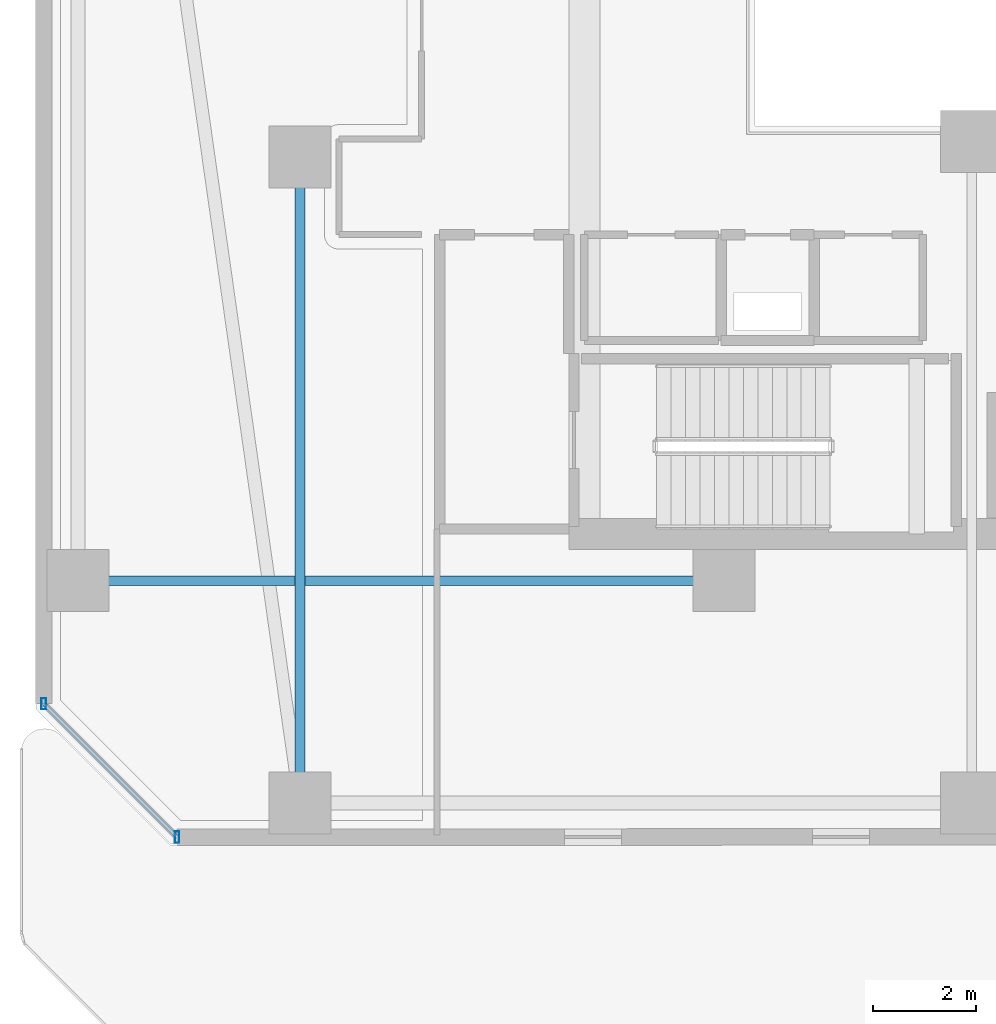
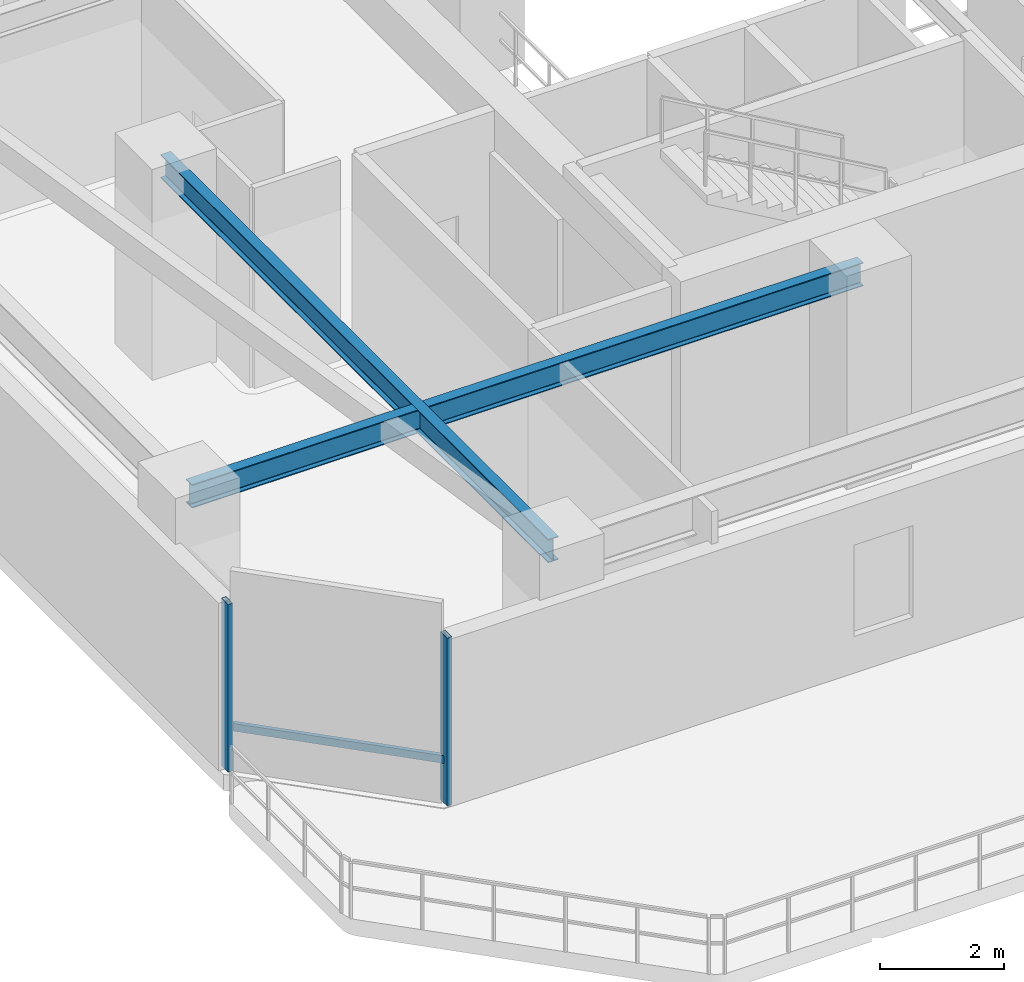
# One storey, part 3 of 30: 3 members, 2 beams, 1 element without a shape of its own.
"""IFC4 building model written with IfcOpenShell, lengths in metres."""

import ifcopenshell
import ifcopenshell.guid

model = None  # the IFC model being written
_history = None  # IfcOwnerHistory: only IFC2X3 demands one
_inside = {}  # id of a spatial element -> (the spatial element, [elements in it])
_under = {}  # id of a project, library or spatial element -> (it, [spatial elements below it])
_declared = {}  # id of a project -> (the project, [libraries it declares])
_typed = {}  # id of a type object -> (the type object, [elements of that type])
_made_of = {}  # id of a material, layer set ... -> (it, [elements and type objects made of it])


def new_model(schema):
    """Start an empty IFC model of exactly this schema.

    Asked for "IFC4X3", IfcOpenShell would pick the latest addendum, in which some entities
    have other attributes; the version numbers below select the first issue.
    IFC2X3 requires an IfcOwnerHistory on every rooted entity: one is made here for all.
    """
    global model, _history
    if schema == "IFC4X3":
        model = ifcopenshell.file(schema_version=(4, 3, 0, 0))
    else:
        model = ifcopenshell.file(schema=schema)
    _inside.clear()
    _under.clear()
    _declared.clear()
    _typed.clear()
    _made_of.clear()
    _history = None
    if model.schema == "IFC2X3":
        org = make("IfcOrganization", Name="unknown")
        user = make(
            "IfcPersonAndOrganization",
            ThePerson=make("IfcPerson", FamilyName="unknown"),
            TheOrganization=org,
        )
        app = make(
            "IfcApplication",
            ApplicationDeveloper=org,
            Version="unknown",
            ApplicationFullName="unknown",
            ApplicationIdentifier="unknown",
        )
        _history = make(
            "IfcOwnerHistory",
            OwningUser=user,
            OwningApplication=app,
            ChangeAction="ADDED",
            CreationDate=0,
        )
    return model


def make(cls, **values):
    """One entity of the class cls with the attributes given. An attribute that is None is left unset."""
    return model.create_entity(
        cls, **{name: value for name, value in values.items() if value is not None}
    )


def rooted(cls, **values):
    """An entity with a GlobalId (a new one), such as an element, a storey or a relation."""
    return make(cls, GlobalId=ifcopenshell.guid.new(), OwnerHistory=_history, **values)


def si_unit(unit_type, name, prefix=None):
    """IfcSIUnit, for example si_unit("LENGTHUNIT", "METRE", prefix="MILLI")."""
    return make("IfcSIUnit", UnitType=unit_type, Prefix=prefix, Name=name)


def assignment(units):
    """IfcUnitAssignment: the units of a project."""
    return None if units is None else make("IfcUnitAssignment", Units=units)


def point(xyz):
    """IfcCartesianPoint."""
    return None if xyz is None else make("IfcCartesianPoint", Coordinates=xyz)


def direction(xyz):
    """IfcDirection."""
    return None if xyz is None else make("IfcDirection", DirectionRatios=xyz)


def frame(location, z_axis=None, x_axis=None):
    """IfcAxis2Placement3D, a coordinate frame: its origin and axes. An axis left out is left unset."""
    return make(
        "IfcAxis2Placement3D",
        Location=point(location),
        Axis=direction(z_axis),
        RefDirection=direction(x_axis),
    )


def frame_2d(location, x_axis=None):
    """IfcAxis2Placement2D, a coordinate frame in the plane: its origin and x axis."""
    return make(
        "IfcAxis2Placement2D", Location=point(location), RefDirection=direction(x_axis)
    )


def origin():
    """The frame at (0, 0, 0) with its axes left unset."""
    return frame((0.0, 0.0, 0.0))


def origin_2d():
    """The frame at (0, 0) in the plane with its x axis left unset."""
    return frame_2d((0.0, 0.0))


def place(relative_to, where):
    """IfcLocalPlacement: puts the frame where relative to a parent placement (None: the world)."""
    return make(
        "IfcLocalPlacement", PlacementRelTo=relative_to, RelativePlacement=where
    )


def context(
    kind, dimensions, precision=None, world=None, true_north=None, identifier=None
):
    """IfcGeometricRepresentationContext, for example the 3D "Model" context."""
    return make(
        "IfcGeometricRepresentationContext",
        ContextIdentifier=identifier,
        ContextType=kind,
        CoordinateSpaceDimension=dimensions,
        Precision=precision,
        WorldCoordinateSystem=world,
        TrueNorth=true_north,
    )


def subcontext(parent, identifier, kind, view, scale=None):
    """IfcGeometricRepresentationSubContext, for example "Body" below "Model"."""
    return make(
        "IfcGeometricRepresentationSubContext",
        ContextIdentifier=identifier,
        ContextType=kind,
        ParentContext=parent,
        TargetScale=scale,
        TargetView=view,
    )


def project(units=None, contexts=None):
    """IfcProject with its units and contexts."""
    return rooted(
        "IfcProject",
        Name="project",
        RepresentationContexts=contexts,
        UnitsInContext=assignment(units),
    )


def spatial(cls, under=None, at=None, **own):
    """A site, building, storey or space (cls), placed at a placement, below another one or the project."""
    s = rooted(cls, ObjectPlacement=at, **own)
    if under is not None:
        _under.setdefault(under.id(), (under, []))[1].append(s)
    return s


def profile(cls, at=None, kind="AREA", **sizes):
    """A parametric profile (cls). Its sizes go by their IFC names, for example OverallWidth=200.0."""
    return make(cls, ProfileType=kind, Position=at, **sizes)


def hollow_rectangle(**sizes):
    """IfcRectangleHollowProfileDef."""
    return profile("IfcRectangleHollowProfileDef", **sizes)


def i_section(**sizes):
    """IfcIShapeProfileDef."""
    return profile("IfcIShapeProfileDef", **sizes)


def extrude(swept, where, along, depth):
    """IfcExtrudedAreaSolid: the profile swept, set in the frame where, extruded along a direction by depth."""
    return make(
        "IfcExtrudedAreaSolid",
        SweptArea=swept,
        Position=where,
        ExtrudedDirection=direction(along),
        Depth=depth,
    )


def shape(context_of_items, identifier, shape_type, items):
    """IfcShapeRepresentation: the items that make up one representation, for example the "Body"."""
    return make(
        "IfcShapeRepresentation",
        ContextOfItems=context_of_items,
        RepresentationIdentifier=identifier,
        RepresentationType=shape_type,
        Items=items,
    )


def material(Name=None, Category=None):
    """IfcMaterial."""
    return make("IfcMaterial", Name=Name, Category=Category)


def material_profile(
    of_material, cross_section, Name=None, Category=None, Priority=None
):
    """IfcMaterialProfile: a cross section and its material."""
    return make(
        "IfcMaterialProfile",
        Name=Name,
        Material=of_material,
        Profile=cross_section,
        Priority=Priority,
        Category=Category,
    )


def profile_set(profiles, Name=None, composite=None):
    """IfcMaterialProfileSet."""
    return make(
        "IfcMaterialProfileSet",
        Name=Name,
        MaterialProfiles=profiles,
        CompositeProfile=composite,
    )


def made_of(thing, what):
    """Note that an element or type object is made of a material, layer set ...; save() writes the relation."""
    if what is not None:
        _made_of.setdefault(what.id(), (what, []))[1].append(thing)
    return thing


def type_object(cls, material=None, **own):
    """A type object (cls), such as IfcWallType, which elements share."""
    return made_of(rooted(cls, **own), material)


def element(
    cls,
    number,
    at=None,
    inside=None,
    cuts=None,
    type_object=None,
    material=None,
    context=None,
    identifier="Body",
    shape_type=None,
    held_by="IfcProductDefinitionShape",
    body=None,
    shapes=None,
    **own,
):
    """One element of the class cls, such as IfcWall. Its Tag is "e" and its number.

    at: its placement. inside: the storey or other place that contains it. cuts: it is an
    opening in that element (IfcRelVoidsElement). A single representation is given by context,
    identifier, shape_type and body (its items); several are given by shapes. held_by: the class
    of the entity that holds the representations. save() writes the other relations.
    """
    e = rooted(cls, Tag="e%d" % number, ObjectPlacement=at, **own)
    if body is not None:
        shapes = [shape(context, identifier, shape_type, body)]
    if shapes is not None:
        e.Representation = make(held_by, Representations=shapes)
    if inside is not None:
        _inside.setdefault(inside.id(), (inside, []))[1].append(e)
    if cuts is not None:
        rooted(
            "IfcRelVoidsElement", RelatingBuildingElement=cuts, RelatedOpeningElement=e
        )
    if type_object is not None:
        _typed.setdefault(type_object.id(), (type_object, []))[1].append(e)
    return made_of(e, material)


def aggregate(whole, parts):
    """IfcRelAggregates: a whole, such as a stair, and the parts it consists of."""
    return rooted("IfcRelAggregates", RelatingObject=whole, RelatedObjects=parts)


def save(model, path):
    """Write the relations noted so far, then the file.

    IfcRelAggregates (storeys below a building ...), IfcRelContainedInSpatialStructure (elements
    in a storey), IfcRelDefinesByType, IfcRelAssociatesMaterial and IfcRelDeclares: one each for
    every whole, place, type object, material and project.
    """
    for whole, parts in _under.values():
        aggregate(whole, parts)
    for where, things in _inside.values():
        rooted(
            "IfcRelContainedInSpatialStructure",
            RelatedElements=things,
            RelatingStructure=where,
        )
    for kind, things in _typed.values():
        rooted("IfcRelDefinesByType", RelatedObjects=things, RelatingType=kind)
    for what, things in _made_of.values():
        rooted("IfcRelAssociatesMaterial", RelatedObjects=things, RelatingMaterial=what)
    for by, libraries in _declared.values():
        rooted("IfcRelDeclares", RelatingContext=by, RelatedDefinitions=libraries)
    model.write(path)


model = new_model("IFC4")

# Units and contexts
model_context = context("Model", 3, precision=1e-05, world=origin(), true_north=direction((0.0, 1.0)))
body_context = subcontext(model_context, "Body", "Model", "MODEL_VIEW")
ifc_project = project(units=[si_unit("LENGTHUNIT", "METRE"), si_unit("AREAUNIT", "SQUARE_METRE"), si_unit("VOLUMEUNIT", "CUBIC_METRE"), si_unit("PLANEANGLEUNIT", "RADIAN"), si_unit("MASSUNIT", "GRAM", prefix="KILO")], contexts=[model_context])

# Site, building, storey
site_placement = place(None, origin())
site = spatial("IfcSite", under=ifc_project, at=site_placement, CompositionType="ELEMENT")
building_placement = place(site_placement, origin())
building = spatial("IfcBuilding", under=site, at=building_placement, Name="Thornwick Lancets Civic Towers", CompositionType="ELEMENT")
storey_placement = place(building_placement, frame((0.0, 0.0, 75.89990234375)))
storey = spatial("IfcBuildingStorey", under=building, at=storey_placement, Name="L19", CompositionType="ELEMENT", Elevation=75.89990234375)

# Beams
ifc_material_1 = material(Name="Steel S355JR", Category="steel")
ifc_material_profile_1 = material_profile(ifc_material_1, i_section(OverallWidth=0.19189453125, OverallDepth=0.46337890625, WebThickness=0.010498046875, FlangeThickness=0.017578125, FilletRadius=0.01025390625, at=origin_2d()), Name="UKB 457x191x89")
ifc_profile_set_1 = profile_set([ifc_material_profile_1], Name="Steel S355JR")
beam_type = type_object("IfcBeamType", Name="BM_JOIST_457_89", PredefinedType="JOIST", material=ifc_profile_set_1)
for number, where, z_axis, x_axis, name in (
    (1, (12.5, 22.199951171875, 3.728515625), (0.0, -1.0, 0.0), (1.0, 0.0, 0.0), "BM-RADIN-L19-A01"),
    (2, (20.699951171875, 14.0, 3.728515625), (-1.0, 0.0, 0.0), (0.0, -1.0, 0.0), "BM-RADIN-L19-A10"),
):
    element("IfcBeam", number, at=place(storey_placement, frame(where, z_axis=z_axis, x_axis=x_axis)), inside=storey, type_object=beam_type, Name=name, PredefinedType="JOIST", context=body_context, shape_type="SweptSolid", body=[
        extrude(i_section(OverallWidth=0.19189453125, OverallDepth=0.46337890625, WebThickness=0.010498046875, FlangeThickness=0.017578125, FilletRadius=0.01025390625, at=origin_2d()), origin(), (0.0, 0.0, 1.0), 12.5),
    ])

# Curtain wall, members
ifc_material_2 = material(Name="Low-zone chamfered-corner unitised glass curtain wall", Category="glass")
curtain_wall_type = type_object("IfcCurtainWallType", Name="CW_SYS_03", PredefinedType="NOTDEFINED", material=ifc_material_2)
curtain_wall_placement = place(storey_placement, origin())
curtain_wall = element("IfcCurtainWall", 3, at=curtain_wall_placement, inside=storey, type_object=curtain_wall_type, Name="L19 Curtain Wall CW-L19-A-E7", PredefinedType="NOTDEFINED")
ifc_material_3 = material(Name="Thermally broken bronze aluminium S355", Category="steel")
ifc_material_profile_2 = material_profile(ifc_material_3, hollow_rectangle(XDim=0.090087890625, YDim=0.219970703125, WallThickness=0.00634765625, at=origin_2d()), Name="RHS 220x90x6.3")
ifc_profile_set_2 = profile_set([ifc_material_profile_2], Name="Thermally broken bronze aluminium S355")
member_type_1 = type_object("IfcMemberType", Name="CW_MUL_220", PredefinedType="MULLION", material=ifc_profile_set_2)
member_1_placement = place(storey_placement, frame((7.535400390625, 11.61865234375, 0.0), z_axis=(0.0, 0.0, 1.0), x_axis=(1.0, 0.0, 0.0)))
member_1 = element("IfcMember", 4, at=member_1_placement, type_object=member_type_1, Name="CW-L19-A-E7 Mullion 0", PredefinedType="MULLION", context=body_context, shape_type="SweptSolid", body=[
    extrude(hollow_rectangle(XDim=0.090087890625, YDim=0.219970703125, WallThickness=0.00634765625, at=origin_2d()), origin(), (0.0, 0.0, 1.0), 3.300048828125),
])
member_2_placement = place(storey_placement, frame((10.11865234375, 9.035400390625, 0.0), z_axis=(0.0, 0.0, 1.0), x_axis=(1.0, 0.0, 0.0)))
member_2 = element("IfcMember", 5, at=member_2_placement, type_object=member_type_1, Name="CW-L19-A-E7 Mullion 1", PredefinedType="MULLION", context=body_context, shape_type="SweptSolid", body=[
    extrude(hollow_rectangle(XDim=0.090087890625, YDim=0.219970703125, WallThickness=0.00634765625, at=origin_2d()), origin(), (0.0, 0.0, 1.0), 3.300048828125),
])
ifc_material_profile_3 = material_profile(ifc_material_3, hollow_rectangle(XDim=0.074951171875, YDim=0.14990234375, WallThickness=0.0048828125, at=origin_2d()), Name="RHS 150x75x5")
ifc_profile_set_3 = profile_set([ifc_material_profile_3], Name="Thermally broken bronze aluminium S355")
member_type_2 = type_object("IfcMemberType", Name="CW_TRN_150", PredefinedType="USERDEFINED", material=ifc_profile_set_3)
member_3_placement = place(storey_placement, frame((7.54931640625, 11.6044921875, 0.85009765625), z_axis=(0.707106781187, -0.707106781187, 0.0), x_axis=(0.707106781187, 0.707106781187, 0.0)))
member_3 = element("IfcMember", 6, at=member_3_placement, type_object=member_type_2, Name="CW-L19-A-E7 Transom 0", ObjectType="TRANSOM", PredefinedType="USERDEFINED", context=body_context, shape_type="SweptSolid", body=[
    extrude(hollow_rectangle(XDim=0.074951171875, YDim=0.14990234375, WallThickness=0.0048828125, at=origin_2d()), origin(), (0.0, 0.0, 1.0), 3.613525390625),
])
aggregate(curtain_wall, [member_1, member_2, member_3])

save(model, "model.ifc")
